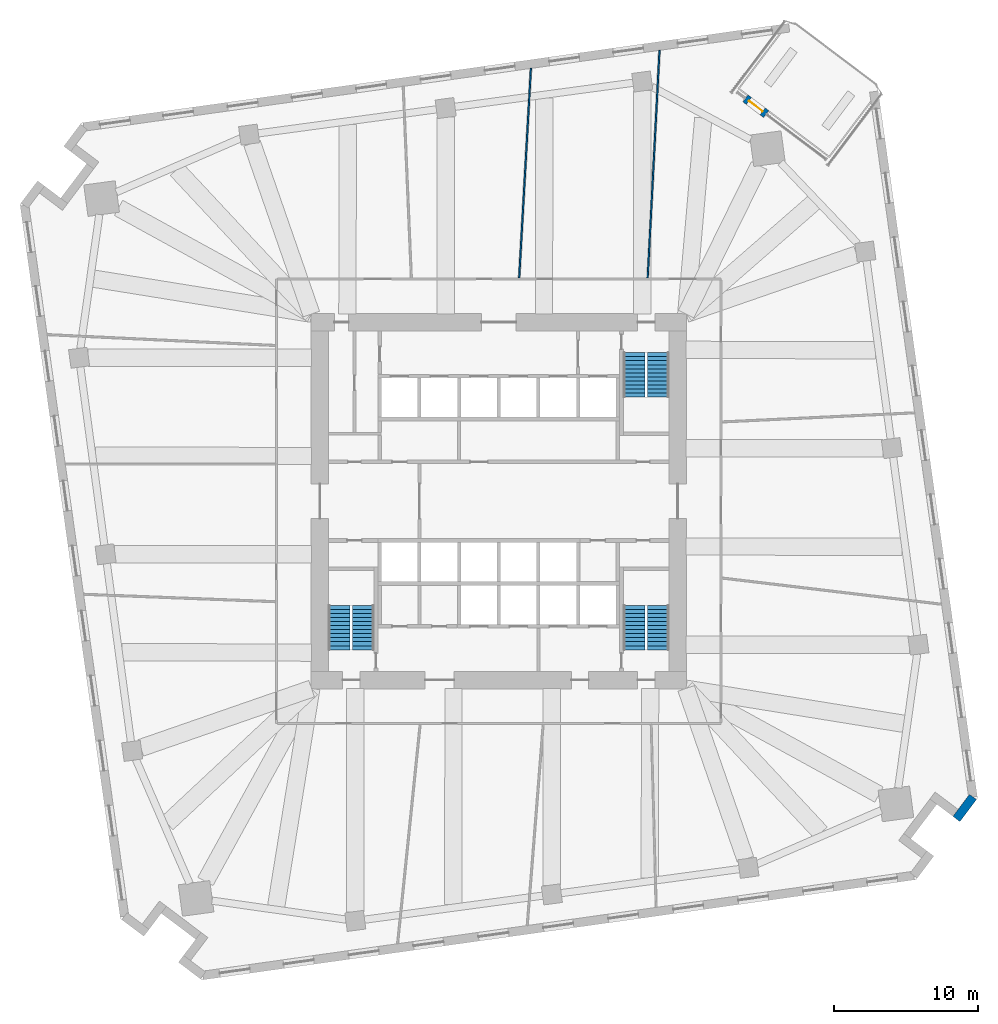
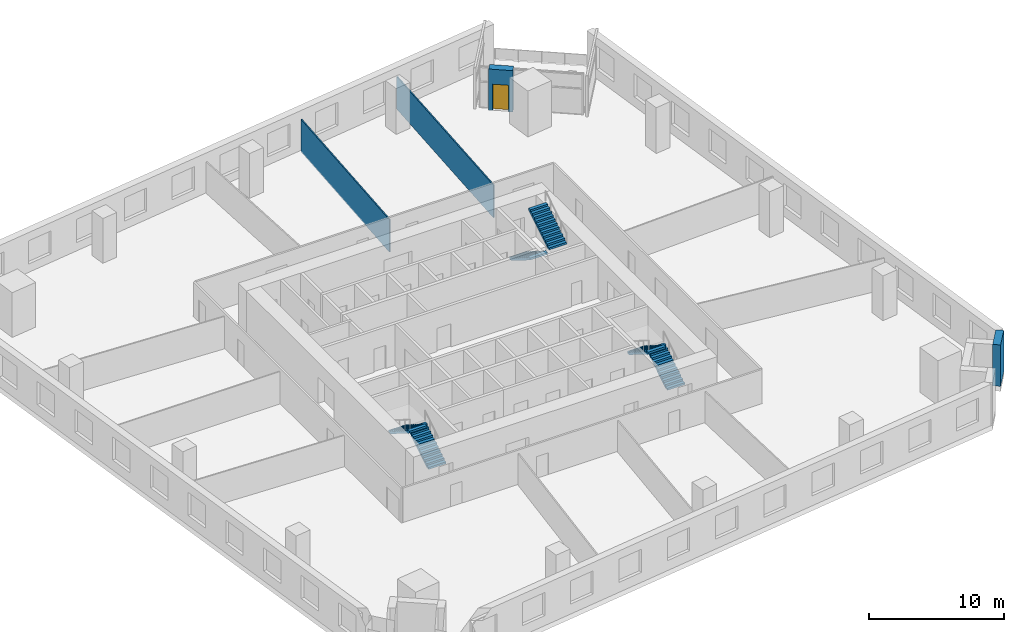
# One storey, part 10 of 12: 6 stair flights, 4 walls, 1 door, 1 opening, 3 elements without a shape of their own.
"""IFC4 building model written with IfcOpenShell, lengths in metres."""

from ifc_helpers import new_model, si_unit, direction, frame, frame_2d, origin, place, context, subcontext, project, spatial, polyline, rectangle, outline, extrude, material, layer, layer_set, type_object, element, fill, aggregate, save


model = new_model("IFC4")

# Units and contexts
model_context = context("Model", 3, precision=1e-05, world=origin(), true_north=direction((0.0, 1.0)))
body_context = subcontext(model_context, "Body", "Model", "MODEL_VIEW")
ifc_project = project(units=[si_unit("LENGTHUNIT", "METRE"), si_unit("AREAUNIT", "SQUARE_METRE"), si_unit("VOLUMEUNIT", "CUBIC_METRE"), si_unit("PLANEANGLEUNIT", "RADIAN"), si_unit("MASSUNIT", "GRAM", prefix="KILO")], contexts=[model_context])

# Site, building, storey
site_placement = place(None, origin())
site = spatial("IfcSite", under=ifc_project, at=site_placement, CompositionType="ELEMENT")
building_placement = place(site_placement, origin())
building = spatial("IfcBuilding", under=site, at=building_placement, Name="Dilmun Exchange Tower", CompositionType="ELEMENT")
storey_placement = place(building_placement, frame((0.0, 0.0, 55.5)))
storey = spatial("IfcBuildingStorey", under=building, at=storey_placement, Name="L12", CompositionType="ELEMENT", Elevation=55.5)

# Walls
ifc_material_1 = material(Name="Partition 100")
ifc_layer_1 = layer(ifc_material_1, 0.10009765625)
ifc_layer_set_1 = layer_set([ifc_layer_1], Name="Partition 100")
wall_type_1 = type_object("IfcWallType", Name="Partition 100", PredefinedType="PARTITIONING", material=ifc_layer_set_1)
wall_1_placement = place(storey_placement, frame((1.413330078125, 15.477783203125, 0.0), z_axis=(0.0, 0.0, 1.0), x_axis=(0.05597852546, 0.998431972989, 0.0)))
element("IfcWall", 1, at=wall_1_placement, inside=storey, type_object=wall_type_1, Name="Partition", PredefinedType="PARTITIONING", context=body_context, shape_type="SweptSolid", body=[
    extrude(rectangle(XDim=14.544921875, YDim=0.10009765625, at=frame_2d((7.2724609375, 0.0))), origin(), (0.0, 0.0, 1.0), 2.949951171875),
])
wall_2_placement = place(storey_placement, frame((10.322021484375, 15.4775390625, 0.0), z_axis=(0.0, 0.0, 1.0), x_axis=(0.05191473279, 0.998651521062, 0.0)))
element("IfcWall", 2, at=wall_2_placement, inside=storey, type_object=wall_type_1, Name="Partition", PredefinedType="PARTITIONING", context=body_context, shape_type="SweptSolid", body=[
    extrude(rectangle(XDim=15.79638671875, YDim=0.10009765625, at=frame_2d((7.898193359375, 0.0))), origin(), (0.0, 0.0, 1.0), 2.949951171875),
])
ifc_material_2 = material(Name="Precast concrete C50/60", Category="concrete")
ifc_layer_2 = layer(ifc_material_2, 0.60009765625)
ifc_layer_set_2 = layer_set([ifc_layer_2], Name="Precast concrete C50/60")
wall_type_2 = type_object("IfcWallType", Name="Precast stone-clad wall 600", PredefinedType="STANDARD", material=ifc_layer_set_2)
wall_3_placement = place(storey_placement, frame((31.722900390625, -22.026611328125, 0.0), z_axis=(0.0, 0.0, 1.0), x_axis=(0.601797104511, 0.798649012397, 0.0)))
element("IfcWall", 3, at=wall_3_placement, inside=storey, type_object=wall_type_2, Name="Facade wall L12-20", PredefinedType="STANDARD", context=body_context, shape_type="SweptSolid", body=[
    extrude(rectangle(XDim=1.9111328125, YDim=0.60009765625, at=frame_2d((0.95556640625, 0.0))), origin(), (0.0, 0.0, 1.0), 3.75),
])

# Wall, opening, door
wall_4_placement = place(storey_placement, frame((18.535400390625, 26.8408203125, 0.0), z_axis=(0.0, 0.0, 1.0), x_axis=(-0.79869589423, 0.60173488227, 0.0)))
wall_4 = element("IfcWall", 4, at=wall_4_placement, inside=storey, type_object=wall_type_2, Name="Facade wall L12-01-D", PredefinedType="STANDARD", context=body_context, shape_type="SweptSolid", body=[
    extrude(rectangle(XDim=1.7998046875, YDim=0.60009765625, at=frame_2d((0.89990234375, 0.0))), origin(), (0.0, 0.0, 1.0), 3.75),
])
opening_placement = place(wall_4_placement, frame((0.300048828125, 0.0, 0.0)))
opening = element("IfcOpeningElement", 5, at=opening_placement, cuts=wall_4, Name="Opening GD-1", PredefinedType="OPENING", context=body_context, shape_type="SweptSolid", body=[
    extrude(rectangle(XDim=1.199951171875, YDim=2.39990234375, at=frame_2d((0.60009765625, 1.199951171875))), frame((0.0, 0.31005859375, 0.0), z_axis=(0.0, -1.0, 0.0), x_axis=(1.0, 0.0, 0.0)), (0.0, 0.0, 1.0), 0.6201171875),
])
ifc_material_3 = material(Name="Clear low-emissivity glass in aluminium frame", Category="aluminium")
door_type = type_object("IfcDoorType", Name="Glazed garden door 1200 x 2400", OperationType="SINGLE_SWING_LEFT", PredefinedType="DOOR", material=ifc_material_3)
door_placement = place(opening_placement, origin())
door = element("IfcDoor", 6, at=door_placement, inside=storey, type_object=door_type, Name="Garden terrace door", OperationType="SINGLE_SWING_LEFT", OverallHeight=2.39990234375, OverallWidth=1.199951171875, PredefinedType="DOOR", context=body_context, shape_type="SweptSolid", body=[
    extrude(rectangle(XDim=1.199951171875, YDim=2.39990234375, at=frame_2d((0.60009765625, 1.199951171875))), frame((0.0, 0.02490234375, 0.0), z_axis=(0.0, -1.0, 0.0), x_axis=(1.0, 0.0, 0.0)), (0.0, 0.0, 1.0), 0.050048828125),
])
fill(opening, door)

# Stair, stair flights
ifc_material_4 = material(Name="Concrete C40/50", Category="concrete")
stair_type = type_object("IfcStairType", Name="Exit stair 1500 half-turn", PredefinedType="HALF_TURN_STAIR", material=ifc_material_4)
stair_1_placement = place(storey_placement, origin())
stair_1 = element("IfcStair", 7, at=stair_1_placement, inside=storey, type_object=stair_type, Name="L12 Protected exit stair ST1", PredefinedType="HALF_TURN_STAIR")
stair_flight_type = type_object("IfcStairFlightType", Name="Exit stair flight 1500", PredefinedType="STRAIGHT", material=ifc_material_4)
stair_flight_1_placement = place(storey_placement, frame((9.39990234375, 10.300048828125, 0.0), z_axis=(0.0, 0.0, 1.0), x_axis=(0.0, -1.0, 0.0)))
stair_flight_1 = element("IfcStairFlight", 8, at=stair_flight_1_placement, type_object=stair_flight_type, Name="ST1 flight 1", NumberOfRisers=12, NumberOfTreads=11, PredefinedType="STRAIGHT", RiserHeight=0.175, TreadLength=0.28, context=body_context, shape_type="SweptSolid", body=[
    extrude(outline(polyline([(0.0, 0.0), (0.0, 0.175048828125), (0.280029296875, 0.175048828125), (0.280029296875, 0.35009765625), (0.56005859375, 0.35009765625), (0.56005859375, 0.52490234375), (0.840087890625, 0.52490234375), (0.840087890625, 0.699951171875), (1.1201171875, 0.699951171875), (1.1201171875, 0.875), (1.39990234375, 0.875), (1.39990234375, 1.050048828125), (1.679931640625, 1.050048828125), (1.679931640625, 1.22509765625), (1.9599609375, 1.22509765625), (1.9599609375, 1.39990234375), (2.239990234375, 1.39990234375), (2.239990234375, 1.574951171875), (2.52001953125, 1.574951171875), (2.52001953125, 1.75), (2.800048828125, 1.75), (2.800048828125, 1.925048828125), (3.080078125, 1.925048828125), (3.080078125, 2.10009765625), (3.080078125, 1.748291015625), (0.28271484375, 0.0), (0.0, 0.0)])), frame((0.0, 0.75, 0.0), z_axis=(0.0, -1.0, 0.0), x_axis=(1.0, 0.0, 0.0)), (0.0, 0.0, 1.0), 1.5),
])
stair_flight_2_placement = place(storey_placement, frame((11.050048828125, 7.219970703125, 2.10009765625), z_axis=(0.0, 0.0, 1.0), x_axis=(0.0, 1.0, 0.0)))
stair_flight_2 = element("IfcStairFlight", 9, at=stair_flight_2_placement, type_object=stair_flight_type, Name="ST1 flight 2", NumberOfRisers=12, NumberOfTreads=11, PredefinedType="STRAIGHT", RiserHeight=0.175, TreadLength=0.28, context=body_context, shape_type="SweptSolid", body=[
    extrude(outline(polyline([(0.0, 0.0), (0.0, 0.175048828125), (0.280029296875, 0.175048828125), (0.280029296875, 0.35009765625), (0.56005859375, 0.35009765625), (0.56005859375, 0.52490234375), (0.840087890625, 0.52490234375), (0.840087890625, 0.699951171875), (1.1201171875, 0.699951171875), (1.1201171875, 0.875), (1.39990234375, 0.875), (1.39990234375, 1.050048828125), (1.679931640625, 1.050048828125), (1.679931640625, 1.22509765625), (1.9599609375, 1.22509765625), (1.9599609375, 1.39990234375), (2.239990234375, 1.39990234375), (2.239990234375, 1.574951171875), (2.52001953125, 1.574951171875), (2.52001953125, 1.75), (2.800048828125, 1.75), (2.800048828125, 1.925048828125), (3.080078125, 1.925048828125), (3.080078125, 2.10009765625), (3.080078125, 1.748291015625), (0.28271484375, 0.0), (0.0, 0.0)])), frame((0.0, 0.75, 0.0), z_axis=(0.0, -1.0, 0.0), x_axis=(1.0, 0.0, 0.0)), (0.0, 0.0, 1.0), 1.5),
])
aggregate(stair_1, [stair_flight_1, stair_flight_2])

stair_2_placement = place(storey_placement, origin())
stair_2 = element("IfcStair", 10, at=stair_2_placement, inside=storey, type_object=stair_type, Name="L12 Protected exit stair ST2", PredefinedType="HALF_TURN_STAIR")
stair_flight_3_placement = place(storey_placement, frame((-9.39990234375, -10.300048828125, 0.0), z_axis=(0.0, 0.0, 1.0), x_axis=(0.0, 1.0, 0.0)))
stair_flight_3 = element("IfcStairFlight", 11, at=stair_flight_3_placement, type_object=stair_flight_type, Name="ST2 flight 1", NumberOfRisers=12, NumberOfTreads=11, PredefinedType="STRAIGHT", RiserHeight=0.175, TreadLength=0.28, context=body_context, shape_type="SweptSolid", body=[
    extrude(outline(polyline([(0.0, 0.0), (0.0, 0.175048828125), (0.280029296875, 0.175048828125), (0.280029296875, 0.35009765625), (0.56005859375, 0.35009765625), (0.56005859375, 0.52490234375), (0.840087890625, 0.52490234375), (0.840087890625, 0.699951171875), (1.1201171875, 0.699951171875), (1.1201171875, 0.875), (1.39990234375, 0.875), (1.39990234375, 1.050048828125), (1.679931640625, 1.050048828125), (1.679931640625, 1.22509765625), (1.9599609375, 1.22509765625), (1.9599609375, 1.39990234375), (2.239990234375, 1.39990234375), (2.239990234375, 1.574951171875), (2.52001953125, 1.574951171875), (2.52001953125, 1.75), (2.800048828125, 1.75), (2.800048828125, 1.925048828125), (3.080078125, 1.925048828125), (3.080078125, 2.10009765625), (3.080078125, 1.748291015625), (0.28271484375, 0.0), (0.0, 0.0)])), frame((0.0, 0.75, 0.0), z_axis=(0.0, -1.0, 0.0), x_axis=(1.0, 0.0, 0.0)), (0.0, 0.0, 1.0), 1.5),
])
stair_flight_4_placement = place(storey_placement, frame((-11.050048828125, -7.219970703125, 2.10009765625), z_axis=(0.0, 0.0, 1.0), x_axis=(0.0, -1.0, 0.0)))
stair_flight_4 = element("IfcStairFlight", 12, at=stair_flight_4_placement, type_object=stair_flight_type, Name="ST2 flight 2", NumberOfRisers=12, NumberOfTreads=11, PredefinedType="STRAIGHT", RiserHeight=0.175, TreadLength=0.28, context=body_context, shape_type="SweptSolid", body=[
    extrude(outline(polyline([(0.0, 0.0), (0.0, 0.175048828125), (0.280029296875, 0.175048828125), (0.280029296875, 0.35009765625), (0.56005859375, 0.35009765625), (0.56005859375, 0.52490234375), (0.840087890625, 0.52490234375), (0.840087890625, 0.699951171875), (1.1201171875, 0.699951171875), (1.1201171875, 0.875), (1.39990234375, 0.875), (1.39990234375, 1.050048828125), (1.679931640625, 1.050048828125), (1.679931640625, 1.22509765625), (1.9599609375, 1.22509765625), (1.9599609375, 1.39990234375), (2.239990234375, 1.39990234375), (2.239990234375, 1.574951171875), (2.52001953125, 1.574951171875), (2.52001953125, 1.75), (2.800048828125, 1.75), (2.800048828125, 1.925048828125), (3.080078125, 1.925048828125), (3.080078125, 2.10009765625), (3.080078125, 1.748291015625), (0.28271484375, 0.0), (0.0, 0.0)])), frame((0.0, 0.75, 0.0), z_axis=(0.0, -1.0, 0.0), x_axis=(1.0, 0.0, 0.0)), (0.0, 0.0, 1.0), 1.5),
])
aggregate(stair_2, [stair_flight_3, stair_flight_4])

stair_3_placement = place(storey_placement, origin())
stair_3 = element("IfcStair", 13, at=stair_3_placement, inside=storey, type_object=stair_type, Name="L12 Protected exit stair ST3", PredefinedType="HALF_TURN_STAIR")
stair_flight_5_placement = place(storey_placement, frame((11.050048828125, -10.300048828125, 0.0), z_axis=(0.0, 0.0, 1.0), x_axis=(0.0, 1.0, 0.0)))
stair_flight_5 = element("IfcStairFlight", 14, at=stair_flight_5_placement, type_object=stair_flight_type, Name="ST3 flight 1", NumberOfRisers=12, NumberOfTreads=11, PredefinedType="STRAIGHT", RiserHeight=0.175, TreadLength=0.28, context=body_context, shape_type="SweptSolid", body=[
    extrude(outline(polyline([(0.0, 0.0), (0.0, 0.175048828125), (0.280029296875, 0.175048828125), (0.280029296875, 0.35009765625), (0.56005859375, 0.35009765625), (0.56005859375, 0.52490234375), (0.840087890625, 0.52490234375), (0.840087890625, 0.699951171875), (1.1201171875, 0.699951171875), (1.1201171875, 0.875), (1.39990234375, 0.875), (1.39990234375, 1.050048828125), (1.679931640625, 1.050048828125), (1.679931640625, 1.22509765625), (1.9599609375, 1.22509765625), (1.9599609375, 1.39990234375), (2.239990234375, 1.39990234375), (2.239990234375, 1.574951171875), (2.52001953125, 1.574951171875), (2.52001953125, 1.75), (2.800048828125, 1.75), (2.800048828125, 1.925048828125), (3.080078125, 1.925048828125), (3.080078125, 2.10009765625), (3.080078125, 1.748291015625), (0.28271484375, 0.0), (0.0, 0.0)])), frame((0.0, 0.75, 0.0), z_axis=(0.0, -1.0, 0.0), x_axis=(1.0, 0.0, 0.0)), (0.0, 0.0, 1.0), 1.5),
])
stair_flight_6_placement = place(storey_placement, frame((9.39990234375, -7.219970703125, 2.10009765625), z_axis=(0.0, 0.0, 1.0), x_axis=(0.0, -1.0, 0.0)))
stair_flight_6 = element("IfcStairFlight", 15, at=stair_flight_6_placement, type_object=stair_flight_type, Name="ST3 flight 2", NumberOfRisers=12, NumberOfTreads=11, PredefinedType="STRAIGHT", RiserHeight=0.175, TreadLength=0.28, context=body_context, shape_type="SweptSolid", body=[
    extrude(outline(polyline([(0.0, 0.0), (0.0, 0.175048828125), (0.280029296875, 0.175048828125), (0.280029296875, 0.35009765625), (0.56005859375, 0.35009765625), (0.56005859375, 0.52490234375), (0.840087890625, 0.52490234375), (0.840087890625, 0.699951171875), (1.1201171875, 0.699951171875), (1.1201171875, 0.875), (1.39990234375, 0.875), (1.39990234375, 1.050048828125), (1.679931640625, 1.050048828125), (1.679931640625, 1.22509765625), (1.9599609375, 1.22509765625), (1.9599609375, 1.39990234375), (2.239990234375, 1.39990234375), (2.239990234375, 1.574951171875), (2.52001953125, 1.574951171875), (2.52001953125, 1.75), (2.800048828125, 1.75), (2.800048828125, 1.925048828125), (3.080078125, 1.925048828125), (3.080078125, 2.10009765625), (3.080078125, 1.748291015625), (0.28271484375, 0.0), (0.0, 0.0)])), frame((0.0, 0.75, 0.0), z_axis=(0.0, -1.0, 0.0), x_axis=(1.0, 0.0, 0.0)), (0.0, 0.0, 1.0), 1.5),
])
aggregate(stair_3, [stair_flight_5, stair_flight_6])

save(model, "model.ifc")
